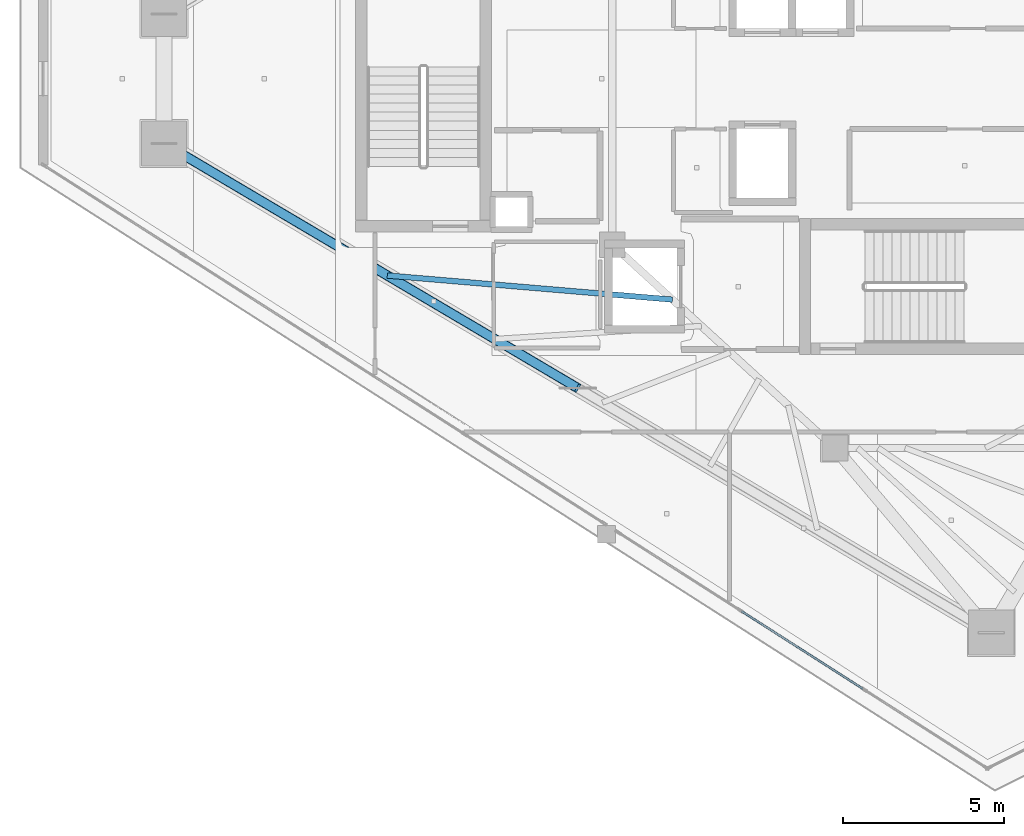
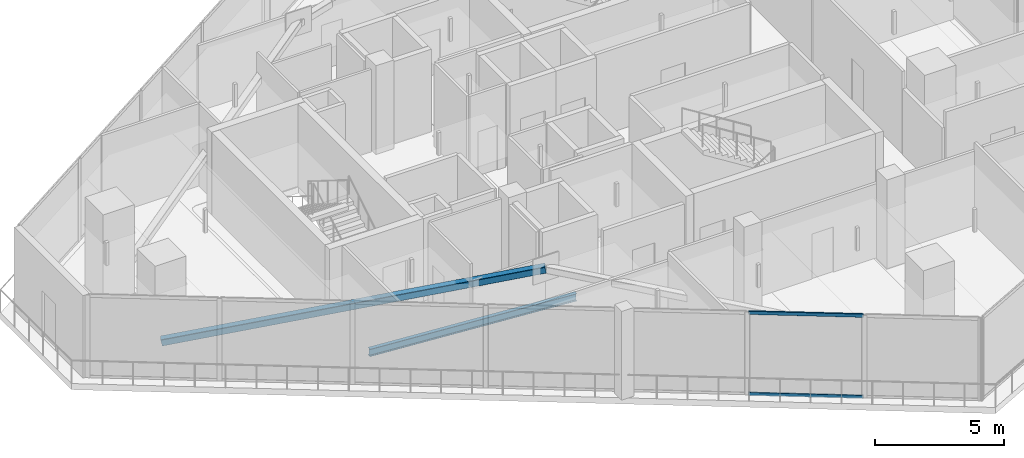
# One storey, part 3 of 25: 3 members, 1 beam, 1 element without a shape of its own.
"""IFC4 building model written with IfcOpenShell, lengths in metres."""

from ifc_helpers import new_model, si_unit, direction, frame, origin, origin_2d, place, context, subcontext, project, spatial, hollow_rectangle, i_section, extrude, material, layer, layer_set, material_profile, profile_set, type_object, element, aggregate, save


model = new_model("IFC4")

# Units and contexts
model_context = context("Model", 3, precision=1e-05, world=origin(), true_north=direction((0.0, 1.0)))
body_context = subcontext(model_context, "Body", "Model", "MODEL_VIEW")
ifc_project = project(units=[si_unit("LENGTHUNIT", "METRE"), si_unit("AREAUNIT", "SQUARE_METRE"), si_unit("VOLUMEUNIT", "CUBIC_METRE"), si_unit("PLANEANGLEUNIT", "RADIAN"), si_unit("MASSUNIT", "GRAM", prefix="KILO")], contexts=[model_context])

# Site, building, storey
site_placement = place(None, origin())
site = spatial("IfcSite", under=ifc_project, at=site_placement, CompositionType="ELEMENT")
building_placement = place(site_placement, origin())
building = spatial("IfcBuilding", under=site, at=building_placement, Name="Qorvath Tower", CompositionType="ELEMENT")
storey_placement = place(building_placement, frame((0.0, 0.0, 314.39990234375)))
storey = spatial("IfcBuildingStorey", under=building, at=storey_placement, Name="L73", CompositionType="ELEMENT", Elevation=314.39990234375)

# Beam
ifc_material_1 = material(Name="Steel ASTM A992 Grade 50", Category="steel")
ifc_material_profile_1 = material_profile(ifc_material_1, i_section(OverallWidth=0.1708984375, OverallDepth=0.35107421875, WebThickness=0.0068359375, FlangeThickness=0.009765625, FilletRadius=0.010009765625, at=origin_2d()), Name="W14x30")
ifc_profile_set_1 = profile_set([ifc_material_profile_1], Name="Steel ASTM A992 Grade 50")
beam_type = type_object("IfcBeamType", Name="BM-FJ4", PredefinedType="JOIST", material=ifc_profile_set_1)
beam_placement = place(storey_placement, frame((-28.636962890625, -6.85107421875, -0.46533203125), z_axis=(-0.996436150147, 0.084350451576, 0.0), x_axis=(-0.084350451576, -0.996436150147, 0.0)))
element("IfcBeam", 1, at=beam_placement, inside=storey, type_object=beam_type, Name="Composite Floor Joist SW2 L73", PredefinedType="JOIST", context=body_context, shape_type="SweptSolid", body=[
    extrude(i_section(OverallWidth=0.1708984375, OverallDepth=0.35107421875, WebThickness=0.0068359375, FlangeThickness=0.009765625, FilletRadius=0.010009765625, at=origin_2d()), origin(), (0.0, 0.0, 1.0), 8.87109375),
])

# Curtain wall, members
ifc_material_2 = material(Name="Anodised aluminium and triple low-E glass", Category="aluminium")
ifc_layer = layer(ifc_material_2, 0.179931640625)
ifc_layer_set = layer_set([ifc_layer], Name="CW-SYS-4")
curtain_wall_type = type_object("IfcCurtainWallType", Name="CW-SYS-4", PredefinedType="NOTDEFINED", material=ifc_layer_set)
curtain_wall_placement = place(storey_placement, origin())
curtain_wall = element("IfcCurtainWall", 2, at=curtain_wall_placement, inside=storey, type_object=curtain_wall_type, Name="Curtain Wall CW-4 CW-T-L73-2.2", PredefinedType="NOTDEFINED")
ifc_material_3 = material(Name="Anodised aluminium 6063-T6", Category="aluminium")
ifc_material_profile_2 = material_profile(ifc_material_3, hollow_rectangle(XDim=0.06494140625, YDim=0.159912109375, WallThickness=0.00341796875, InnerFilletRadius=0.00341796875, OuterFilletRadius=0.007080078125, at=origin_2d()), Name="CWT 160x65")
ifc_profile_set_2 = profile_set([ifc_material_profile_2], Name="Anodised aluminium 6063-T6")
member_type_1 = type_object("IfcMemberType", Name="CWT-160", PredefinedType="USERDEFINED", material=ifc_profile_set_2)
member_1_placement = place(storey_placement, frame((-26.497314453125, -16.509765625, 0.032470703125), z_axis=(0.842620507343, -0.538507827803, 0.0), x_axis=(0.538507827803, 0.842620507343, 0.0)))
member_1 = element("IfcMember", 3, at=member_1_placement, type_object=member_type_1, Name="CW-4 transom 2.1", ObjectType="TRANSOM", PredefinedType="USERDEFINED", context=body_context, shape_type="SweptSolid", body=[
    extrude(hollow_rectangle(XDim=0.06494140625, YDim=0.159912109375, WallThickness=0.00341796875, InnerFilletRadius=0.00341796875, OuterFilletRadius=0.007080078125, at=origin_2d()), origin(), (0.0, 0.0, 1.0), 4.46826171875),
])
member_2_placement = place(storey_placement, frame((-26.497314453125, -16.509765625, 3.877685546875), z_axis=(0.842620507343, -0.538507827803, 0.0), x_axis=(0.538507827803, 0.842620507343, 0.0)))
member_2 = element("IfcMember", 4, at=member_2_placement, type_object=member_type_1, Name="CW-4 transom 2.2", ObjectType="TRANSOM", PredefinedType="USERDEFINED", context=body_context, shape_type="SweptSolid", body=[
    extrude(hollow_rectangle(XDim=0.06494140625, YDim=0.159912109375, WallThickness=0.00341796875, InnerFilletRadius=0.00341796875, OuterFilletRadius=0.007080078125, at=origin_2d()), origin(), (0.0, 0.0, 1.0), 4.46826171875),
])
aggregate(curtain_wall, [member_1, member_2])

# Member
ifc_material_4 = material(Name="Steel ASTM A500 Grade C", Category="steel")
ifc_material_profile_3 = material_profile(ifc_material_4, hollow_rectangle(XDim=0.3046875, YDim=0.3046875, WallThickness=0.0126953125, InnerFilletRadius=0.0126953125, OuterFilletRadius=0.025390625, at=origin_2d()), Name="HSS 305x305x12.7")
ifc_profile_set_3 = profile_set([ifc_material_profile_3], Name="Steel ASTM A500 Grade C")
member_type_2 = type_object("IfcMemberType", Name="MEM-MB3", PredefinedType="BRACE", material=ifc_profile_set_3)
member_3_placement = place(storey_placement, frame((-44.402587890625, -2.007568359375, 0.0), z_axis=(0.837211186209, -0.495043842931, 0.232398414933), x_axis=(0.508979354273, 0.860778727039, 0.0)))
element("IfcMember", 5, at=member_3_placement, inside=storey, type_object=member_type_2, Name="Perimeter Chevron Brace L73-2A", PredefinedType="BRACE", context=body_context, shape_type="SweptSolid", body=[
    extrude(hollow_rectangle(XDim=0.3046875, YDim=0.3046875, WallThickness=0.0126953125, InnerFilletRadius=0.0126953125, OuterFilletRadius=0.025390625, at=origin_2d()), origin(), (0.0, 0.0, 1.0), 15.31982421875),
])

save(model, "model.ifc")
